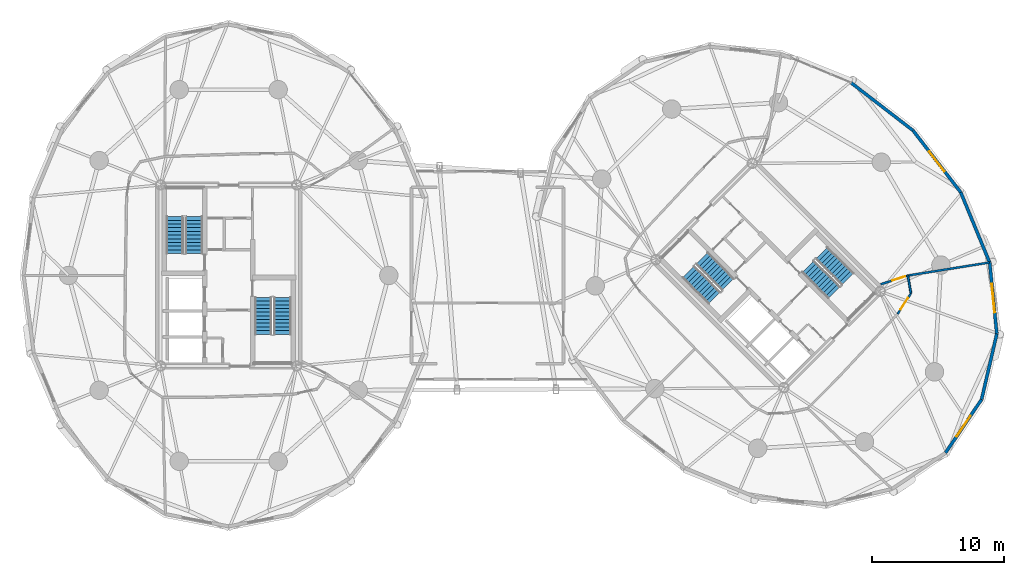
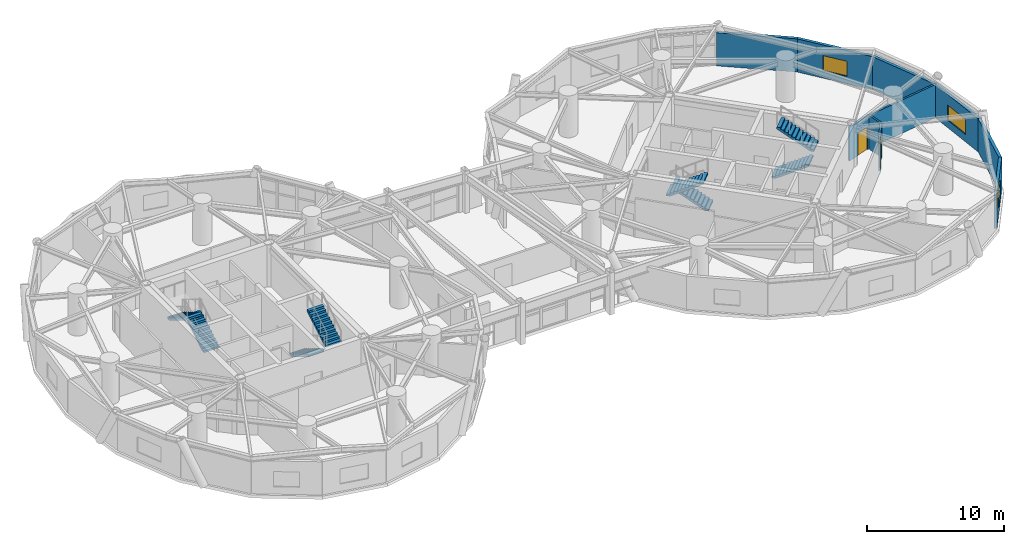
# One storey, part 17 of 19: 10 walls, 8 stair flights, 3 windows, 2 doors, 5 openings, 4 elements without a shape of their own.
"""IFC4 building model written with IfcOpenShell, lengths in metres."""

from ifc_helpers import new_model, si_unit, direction, frame, frame_2d, origin, place, context, subcontext, project, spatial, polyline, rectangle, outline, extrude, source, transform, mapped, material, layer, layer_set, type_object, element, fill, aggregate, save


model = new_model("IFC4")

# Units and contexts
model_context = context("Model", 3, precision=1e-05, world=origin(), true_north=direction((0.0, 1.0)))
body_context = subcontext(model_context, "Body", "Model", "MODEL_VIEW")
ifc_project = project(units=[si_unit("LENGTHUNIT", "METRE"), si_unit("AREAUNIT", "SQUARE_METRE"), si_unit("VOLUMEUNIT", "CUBIC_METRE"), si_unit("PLANEANGLEUNIT", "RADIAN"), si_unit("MASSUNIT", "GRAM", prefix="KILO")], contexts=[model_context])

# Site, building, storey
site_placement = place(None, origin())
site = spatial("IfcSite", under=ifc_project, at=site_placement, CompositionType="ELEMENT")
building_placement = place(site_placement, origin())
building = spatial("IfcBuilding", under=site, at=building_placement, Name="Cununo Teusaquillo Station Towers", CompositionType="ELEMENT")
storey_placement = place(building_placement, frame((0.0, 0.0, 136.60009765625)))
storey = spatial("IfcBuildingStorey", under=building, at=storey_placement, Name="L43", CompositionType="ELEMENT", Elevation=136.60009765625)

# Wall
ifc_material_1 = material(Name="Precast concrete C40/50", Category="concrete")
ifc_layer_1 = layer(ifc_material_1, 0.239990234375)
ifc_layer_set_1 = layer_set([ifc_layer_1], Name="Precast concrete C40/50")
wall_type_1 = type_object("IfcWallType", Name="WL-EXT-240", PredefinedType="SOLIDWALL", material=ifc_layer_set_1)
wall_1_placement = place(storey_placement, frame((63.811279296875, 39.145263671875, 0.0), z_axis=(0.0, 0.0, 1.0), x_axis=(0.791982052206, -0.61054437102, 0.0)))
element("IfcWall", 1, at=wall_1_placement, inside=storey, type_object=wall_type_1, Name="L43 Tower B Exterior Facade Wall C00", PredefinedType="SOLIDWALL", context=body_context, shape_type="SweptSolid", body=[
    extrude(rectangle(XDim=5.942138671875, YDim=0.239990234375, at=frame_2d((2.97119140625, 0.0))), origin(), (0.0, 0.0, 1.0), 2.948974609375),
])

# Wall, opening, window
wall_2_placement = place(storey_placement, frame((73.72900390625, 15.080078125, 0.0), z_axis=(0.0, 0.0, 1.0), x_axis=(-0.559572880421, -0.828781148131, 0.0)))
wall_2 = element("IfcWall", 2, at=wall_2_placement, inside=storey, type_object=wall_type_1, Name="L43 Tower B Exterior Facade Wall C15", PredefinedType="SOLIDWALL", context=body_context, shape_type="SweptSolid", body=[
    extrude(rectangle(XDim=4.904541015625, YDim=0.239990234375, at=frame_2d((2.4521484375, 0.0))), origin(), (0.0, 0.0, 1.0), 2.948974609375),
])
shared_shape_1 = source(origin(), body_context, "Body", "SweptSolid", [
    extrude(rectangle(XDim=1.89990234375, YDim=1.35009765625, at=frame_2d((0.949951171875, 0.675048828125))), frame((0.0, 0.1298828125, 0.0), z_axis=(0.0, -1.0, 0.0), x_axis=(1.0, 0.0, 0.0)), (0.0, 0.0, 1.0), 0.260009765625),
])
opening_1_placement = place(wall_2_placement, frame((1.501953125, 0.0, 0.64990234375)))
opening_1 = element("IfcOpeningElement", 3, at=opening_1_placement, cuts=wall_2, Name="Opening WN-02", PredefinedType="OPENING", context=body_context, shape_type="MappedRepresentation", body=[
    mapped(shared_shape_1, transform((0.0, 0.0, 0.0), x_axis=(1.0, 0.0, 0.0), y_axis=(0.0, 1.0, 0.0), z_axis=(0.0, 0.0, 1.0), scale=1.0)),
])
ifc_material_2 = material(Name="Operable acoustic tinted low-E double glazing", Category="glass")
window_type_1 = type_object("IfcWindowType", Name="WIN-OPER-1900", PartitioningType="DOUBLE_PANEL_VERTICAL", PredefinedType="WINDOW", material=ifc_material_2)
shared_shape_2 = source(origin(), body_context, "Body", "SweptSolid", [
    extrude(rectangle(XDim=1.89990234375, YDim=1.35009765625, at=frame_2d((0.949951171875, 0.675048828125))), frame((0.0, 0.030029296875, 0.0), z_axis=(0.0, -1.0, 0.0), x_axis=(1.0, 0.0, 0.0)), (0.0, 0.0, 1.0), 0.06005859375),
])
window_1_placement = place(opening_1_placement, origin())
window_1 = element("IfcWindow", 4, at=window_1_placement, inside=storey, type_object=window_type_1, Name="L43 Tower B Facade Window C15", OverallHeight=1.35009765625, OverallWidth=1.89990234375, PartitioningType="DOUBLE_PANEL_VERTICAL", PredefinedType="WINDOW", context=body_context, shape_type="MappedRepresentation", body=[
    mapped(shared_shape_2, transform((0.0, 0.0, 0.0), x_axis=(1.0, 0.0, 0.0), y_axis=(0.0, 1.0, 0.0), z_axis=(0.0, 0.0, 1.0), scale=1.0)),
])
fill(opening_1, window_1)

# Wall
wall_3_placement = place(storey_placement, frame((74.885009765625, 20.066650390625, 0.0), z_axis=(0.0, 0.0, 1.0), x_axis=(-0.225834725257, -0.974165631126, 0.0)))
element("IfcWall", 5, at=wall_3_placement, inside=storey, type_object=wall_type_1, Name="L43 Tower B Exterior Facade Wall C16", PredefinedType="SOLIDWALL", context=body_context, shape_type="SweptSolid", body=[
    extrude(rectangle(XDim=5.118896484375, YDim=0.239990234375, at=frame_2d((2.5595703125, 0.0))), origin(), (0.0, 0.0, 1.0), 2.948974609375),
])

# Wall, opening, window
wall_4_placement = place(storey_placement, frame((74.33935546875, 25.4873046875, 0.0), z_axis=(0.0, 0.0, 1.0), x_axis=(0.10015591906, -0.994971754311, 0.0)))
wall_4 = element("IfcWall", 6, at=wall_4_placement, inside=storey, type_object=wall_type_1, Name="L43 Tower B Exterior Facade Wall C17", PredefinedType="SOLIDWALL", context=body_context, shape_type="SweptSolid", body=[
    extrude(rectangle(XDim=5.447998046875, YDim=0.239990234375, at=frame_2d((2.72412109375, 0.0))), origin(), (0.0, 0.0, 1.0), 2.948974609375),
])
shared_shape_3 = source(origin(), body_context, "Body", "SweptSolid", [
    extrude(rectangle(XDim=2.199951171875, YDim=1.35009765625, at=frame_2d((1.10009765625, 0.675048828125))), frame((0.0, 0.1298828125, 0.0), z_axis=(0.0, -1.0, 0.0), x_axis=(1.0, 0.0, 0.0)), (0.0, 0.0, 1.0), 0.260009765625),
])
opening_2_placement = place(wall_4_placement, frame((1.6240234375, 0.0, 0.64990234375)))
opening_2 = element("IfcOpeningElement", 7, at=opening_2_placement, cuts=wall_4, Name="Opening WN-01", PredefinedType="OPENING", context=body_context, shape_type="MappedRepresentation", body=[
    mapped(shared_shape_3, transform((0.0, 0.0, 0.0), x_axis=(1.0, 0.0, 0.0), y_axis=(0.0, 1.0, 0.0), z_axis=(0.0, 0.0, 1.0), scale=1.0)),
])
ifc_material_3 = material(Name="Ceramic-fritted dark low-E double glazing", Category="glass")
window_type_2 = type_object("IfcWindowType", Name="WIN-FRIT-2200", PartitioningType="DOUBLE_PANEL_VERTICAL", PredefinedType="WINDOW", material=ifc_material_3)
shared_shape_4 = source(origin(), body_context, "Body", "SweptSolid", [
    extrude(rectangle(XDim=2.199951171875, YDim=1.35009765625, at=frame_2d((1.10009765625, 0.675048828125))), frame((0.0, 0.030029296875, 0.0), z_axis=(0.0, -1.0, 0.0), x_axis=(1.0, 0.0, 0.0)), (0.0, 0.0, 1.0), 0.06005859375),
])
window_2_placement = place(opening_2_placement, origin())
window_2 = element("IfcWindow", 8, at=window_2_placement, inside=storey, type_object=window_type_2, Name="L43 Tower B Facade Window C17", OverallHeight=1.35009765625, OverallWidth=2.199951171875, PartitioningType="DOUBLE_PANEL_VERTICAL", PredefinedType="WINDOW", context=body_context, shape_type="MappedRepresentation", body=[
    mapped(shared_shape_4, transform((0.0, 0.0, 0.0), x_axis=(1.0, 0.0, 0.0), y_axis=(0.0, 1.0, 0.0), z_axis=(0.0, 0.0, 1.0), scale=1.0)),
])
fill(opening_2, window_2)

# Wall
wall_5_placement = place(storey_placement, frame((72.145263671875, 30.811279296875, 0.0), z_axis=(0.0, 0.0, 1.0), x_axis=(0.381027003055, -0.924563909604, 0.0)))
element("IfcWall", 9, at=wall_5_placement, inside=storey, type_object=wall_type_1, Name="L43 Tower B Exterior Facade Wall C18", PredefinedType="SOLIDWALL", context=body_context, shape_type="SweptSolid", body=[
    extrude(rectangle(XDim=5.75830078125, YDim=0.239990234375, at=frame_2d((2.879150390625, 0.0))), origin(), (0.0, 0.0, 1.0), 2.948974609375),
])

# Wall, opening, window
wall_6_placement = place(storey_placement, frame((68.517333984375, 35.517333984375, 0.0), z_axis=(0.0, 0.0, 1.0), x_axis=(0.61054437102, -0.791982052206, 0.0)))
wall_6 = element("IfcWall", 10, at=wall_6_placement, inside=storey, type_object=wall_type_1, Name="L43 Tower B Exterior Facade Wall C19", PredefinedType="SOLIDWALL", context=body_context, shape_type="SweptSolid", body=[
    extrude(rectangle(XDim=5.942138671875, YDim=0.239990234375, at=frame_2d((2.97119140625, 0.0))), origin(), (0.0, 0.0, 1.0), 2.948974609375),
])
opening_3_placement = place(wall_6_placement, frame((2.02099609375, 0.0, 0.64990234375)))
opening_3 = element("IfcOpeningElement", 11, at=opening_3_placement, cuts=wall_6, Name="Opening WN-02", PredefinedType="OPENING", context=body_context, shape_type="MappedRepresentation", body=[
    mapped(shared_shape_1, transform((0.0, 0.0, 0.0), x_axis=(1.0, 0.0, 0.0), y_axis=(0.0, 1.0, 0.0), z_axis=(0.0, 0.0, 1.0), scale=1.0)),
])
window_3_placement = place(opening_3_placement, origin())
window_3 = element("IfcWindow", 12, at=window_3_placement, inside=storey, type_object=window_type_1, Name="L43 Tower B Facade Window C19", OverallHeight=1.35009765625, OverallWidth=1.89990234375, PartitioningType="DOUBLE_PANEL_VERTICAL", PredefinedType="WINDOW", context=body_context, shape_type="MappedRepresentation", body=[
    mapped(shared_shape_2, transform((0.0, 0.0, 0.0), x_axis=(1.0, 0.0, 0.0), y_axis=(0.0, 1.0, 0.0), z_axis=(0.0, 0.0, 1.0), scale=1.0)),
])
fill(opening_3, window_3)

# Wall, opening, door
ifc_material_4 = material(Name="Fire-rated gypsum plasterboard partition assembly", Category="gypsum")
ifc_layer_2 = layer(ifc_material_4, 0.14990234375)
ifc_layer_set_2 = layer_set([ifc_layer_2], Name="Fire-rated gypsum plasterboard partition assembly")
wall_type_2 = type_object("IfcWallType", Name="WL-PART-150", PredefinedType="PARTITIONING", material=ifc_layer_set_2)
wall_7_placement = place(storey_placement, frame((67.34326171875, 21.5693359375, 0.0), z_axis=(0.0, 0.0, 1.0), x_axis=(0.542722446786, 0.83991210597, 0.0)))
wall_7 = element("IfcWall", 13, at=wall_7_placement, inside=storey, type_object=wall_type_2, Name="L43 Tower B Corridor Ring Wall C16", PredefinedType="PARTITIONING", context=body_context, shape_type="SweptSolid", body=[
    extrude(rectangle(XDim=1.876220703125, YDim=0.14990234375, at=frame_2d((0.93798828125, 0.0))), origin(), (0.0, 0.0, 1.0), 2.994873046875),
])
shared_shape_5 = source(origin(), body_context, "Body", "SweptSolid", [
    extrude(rectangle(XDim=1.050048828125, YDim=2.014892578125, at=frame_2d((0.52490234375, 1.00732421875))), frame((0.0, 0.0849609375, 0.0), z_axis=(0.0, -1.0, 0.0), x_axis=(1.0, 0.0, 0.0)), (0.0, 0.0, 1.0), 0.169921875),
])
opening_4_placement = place(wall_7_placement, frame((0.4130859375, 0.0, 0.0)))
opening_4 = element("IfcOpeningElement", 14, at=opening_4_placement, cuts=wall_7, Name="Opening D-SU1", PredefinedType="OPENING", context=body_context, shape_type="MappedRepresentation", body=[
    mapped(shared_shape_5, transform((0.0, 0.0, 0.0), x_axis=(1.0, 0.0, 0.0), y_axis=(0.0, 1.0, 0.0), z_axis=(0.0, 0.0, 1.0), scale=1.0)),
])
ifc_material_5 = material(Name="Acoustic solid-core hardwood leaf assembly", Category="wood")
door_type = type_object("IfcDoorType", Name="DR-SUITE-1050", OperationType="NOTDEFINED", PredefinedType="DOOR", material=ifc_material_5)
shared_shape_6 = source(origin(), body_context, "Body", "SweptSolid", [
    extrude(rectangle(XDim=1.050048828125, YDim=2.014892578125, at=frame_2d((0.52490234375, 1.00732421875))), frame((0.0, 0.02490234375, 0.0), z_axis=(0.0, -1.0, 0.0), x_axis=(1.0, 0.0, 0.0)), (0.0, 0.0, 1.0), 0.050048828125),
])
door_1_placement = place(opening_4_placement, origin())
door_1 = element("IfcDoor", 15, at=door_1_placement, inside=storey, type_object=door_type, Name="L43 Tower B Executive Sky-Bridge Club Lounge Entrance Door", OperationType="SINGLE_SWING_LEFT", OverallHeight=2.014892578125, OverallWidth=1.050048828125, PredefinedType="DOOR", context=body_context, shape_type="MappedRepresentation", body=[
    mapped(shared_shape_6, transform((0.0, 0.0, 0.0), x_axis=(1.0, 0.0, 0.0), y_axis=(0.0, 1.0, 0.0), z_axis=(0.0, 0.0, 1.0), scale=1.0)),
])
fill(opening_4, door_1)

# Walls
wall_8_placement = place(storey_placement, frame((68.361572265625, 23.145263671875, 0.0), z_axis=(0.0, 0.0, 1.0), x_axis=(-0.175605524171, 0.984460613677, 0.0)))
element("IfcWall", 16, at=wall_8_placement, inside=storey, type_object=wall_type_2, Name="L43 Tower B Corridor Ring Wall C17", PredefinedType="PARTITIONING", context=body_context, shape_type="SweptSolid", body=[
    extrude(rectangle(XDim=1.369384765625, YDim=0.14990234375, at=frame_2d((0.6845703125, 0.0))), origin(), (0.0, 0.0, 1.0), 2.994873046875),
])
ifc_material_6 = material(Name="Fire-rated gypsum plasterboard partition assembly", Category="gypsum")
ifc_layer_3 = layer(ifc_material_6, 0.159912109375)
ifc_layer_set_3 = layer_set([ifc_layer_3], Name="Fire-rated gypsum plasterboard partition assembly")
wall_type_3 = type_object("IfcWallType", Name="WL-PART-160", PredefinedType="PARTITIONING", material=ifc_layer_set_3)
wall_9_placement = place(storey_placement, frame((68.12109375, 24.493408203125, 0.0), z_axis=(0.0, 0.0, 1.0), x_axis=(0.987466345552, 0.15782970697, 0.0)))
element("IfcWall", 17, at=wall_9_placement, inside=storey, type_object=wall_type_3, Name="L43 Tower B Radial Suite Partition R05", PredefinedType="PARTITIONING", context=body_context, shape_type="SweptSolid", body=[
    extrude(rectangle(XDim=6.277099609375, YDim=0.159912109375, at=frame_2d((3.138671875, 0.0))), origin(), (0.0, 0.0, 1.0), 2.948974609375),
])

# Wall, opening, door
wall_10_placement = place(storey_placement, frame((66.055908203125, 23.828125, 0.0), z_axis=(0.0, 0.0, 1.0), x_axis=(0.951830504244, 0.306624674792, 0.0)))
wall_10 = element("IfcWall", 18, at=wall_10_placement, inside=storey, type_object=wall_type_3, Name="L43 Tower B East Salon Corridor Portal Wall SE", PredefinedType="PARTITIONING", context=body_context, shape_type="SweptSolid", body=[
    extrude(rectangle(XDim=2.169677734375, YDim=0.159912109375, at=frame_2d((1.0849609375, 0.0))), origin(), (0.0, 0.0, 1.0), 2.994873046875),
])
shared_shape_7 = source(origin(), body_context, "Body", "SweptSolid", [
    extrude(rectangle(XDim=1.050048828125, YDim=2.014892578125, at=frame_2d((0.52490234375, 1.00732421875))), frame((0.0, 0.08984375, 0.0), z_axis=(0.0, -1.0, 0.0), x_axis=(1.0, 0.0, 0.0)), (0.0, 0.0, 1.0), 0.179931640625),
])
opening_5_placement = place(wall_10_placement, frame((0.919677734375, 0.0, 0.0)))
opening_5 = element("IfcOpeningElement", 19, at=opening_5_placement, cuts=wall_10, Name="Opening D-SU1", PredefinedType="OPENING", context=body_context, shape_type="MappedRepresentation", body=[
    mapped(shared_shape_7, transform((0.0, 0.0, 0.0), x_axis=(1.0, 0.0, 0.0), y_axis=(0.0, 1.0, 0.0), z_axis=(0.0, 0.0, 1.0), scale=1.0)),
])
door_2_placement = place(opening_5_placement, origin())
door_2 = element("IfcDoor", 20, at=door_2_placement, inside=storey, type_object=door_type, Name="L43 Tower B East Panorama Sky Salon Door SE", OperationType="SINGLE_SWING_LEFT", OverallHeight=2.014892578125, OverallWidth=1.050048828125, PredefinedType="DOOR", context=body_context, shape_type="MappedRepresentation", body=[
    mapped(shared_shape_6, transform((0.0, 0.0, 0.0), x_axis=(1.0, 0.0, 0.0), y_axis=(0.0, 1.0, 0.0), z_axis=(0.0, 0.0, 1.0), scale=1.0)),
])
fill(opening_5, door_2)

# Stair, stair flights
ifc_material_7 = material(Name="Concrete C50/60", Category="concrete")
stair_type = type_object("IfcStairType", Name="ST-TWR-1300", PredefinedType="HALF_TURN_STAIR", material=ifc_material_7)
stair_1_placement = place(storey_placement, origin())
stair_1 = element("IfcStair", 21, at=stair_1_placement, inside=storey, type_object=stair_type, Name="L43 Tower A Protected Core Exit Stair 1", PredefinedType="HALF_TURN_STAIR")
ifc_material_8 = material(Name="Concrete C50/60", Category="concrete")
stair_flight_type = type_object("IfcStairFlightType", Name="SFL-TWR-1300", PredefinedType="STRAIGHT", material=ifc_material_8)
stair_flight_1_placement = place(storey_placement, frame((13.8701171875, 26.169921875, 0.0), z_axis=(0.0, 0.0, 1.0), x_axis=(0.0, 1.0, 0.0)))
stair_flight_1 = element("IfcStairFlight", 22, at=stair_flight_1_placement, type_object=stair_flight_type, Name="ST-T1-1 flight 1", NumberOfRisers=11, NumberOfTreads=10, PredefinedType="STRAIGHT", RiserHeight=0.169090909, TreadLength=0.28, context=body_context, shape_type="SweptSolid", body=[
    extrude(outline(polyline([(0.0, 0.0), (0.0, 0.169189453125), (0.280029296875, 0.169189453125), (0.280029296875, 0.338134765625), (0.56005859375, 0.338134765625), (0.56005859375, 0.50732421875), (0.840087890625, 0.50732421875), (0.840087890625, 0.67626953125), (1.1201171875, 0.67626953125), (1.1201171875, 0.845458984375), (1.39990234375, 0.845458984375), (1.39990234375, 1.0146484375), (1.679931640625, 1.0146484375), (1.679931640625, 1.18359375), (1.9599609375, 1.18359375), (1.9599609375, 1.352783203125), (2.239990234375, 1.352783203125), (2.239990234375, 1.521728515625), (2.52001953125, 1.521728515625), (2.52001953125, 1.69091796875), (2.800048828125, 1.69091796875), (2.800048828125, 1.860107421875), (2.800048828125, 1.515869140625), (0.2900390625, 0.0), (0.0, 0.0)])), frame((0.0, 0.64990234375, 0.0), z_axis=(0.0, -1.0, 0.0), x_axis=(1.0, 0.0, 0.0)), (0.0, 0.0, 1.0), 1.300048828125),
])
stair_flight_2_placement = place(storey_placement, frame((12.409912109375, 28.969970703125, 1.85986328125), z_axis=(0.0, 0.0, 1.0), x_axis=(0.0, -1.0, 0.0)))
stair_flight_2 = element("IfcStairFlight", 23, at=stair_flight_2_placement, type_object=stair_flight_type, Name="ST-T1-1 flight 2", NumberOfRisers=11, NumberOfTreads=10, PredefinedType="STRAIGHT", RiserHeight=0.169090909, TreadLength=0.28, context=body_context, shape_type="SweptSolid", body=[
    extrude(outline(polyline([(0.0, 0.0), (0.0, 0.169189453125), (0.280029296875, 0.169189453125), (0.280029296875, 0.338134765625), (0.56005859375, 0.338134765625), (0.56005859375, 0.50732421875), (0.840087890625, 0.50732421875), (0.840087890625, 0.67626953125), (1.1201171875, 0.67626953125), (1.1201171875, 0.845458984375), (1.39990234375, 0.845458984375), (1.39990234375, 1.0146484375), (1.679931640625, 1.0146484375), (1.679931640625, 1.18359375), (1.9599609375, 1.18359375), (1.9599609375, 1.352783203125), (2.239990234375, 1.352783203125), (2.239990234375, 1.521728515625), (2.52001953125, 1.521728515625), (2.52001953125, 1.69091796875), (2.800048828125, 1.69091796875), (2.800048828125, 1.860107421875), (2.800048828125, 1.515869140625), (0.2900390625, 0.0), (0.0, 0.0)])), frame((0.0, 0.64990234375, 0.0), z_axis=(0.0, -1.0, 0.0), x_axis=(1.0, 0.0, 0.0)), (0.0, 0.0, 1.0), 1.300048828125),
])
aggregate(stair_1, [stair_flight_1, stair_flight_2])

stair_2_placement = place(storey_placement, origin())
stair_2 = element("IfcStair", 24, at=stair_2_placement, inside=storey, type_object=stair_type, Name="L43 Tower A Protected Core Exit Stair 2", PredefinedType="HALF_TURN_STAIR")
stair_flight_3_placement = place(storey_placement, frame((19.1298828125, 22.830078125, 0.0), z_axis=(0.0, 0.0, 1.0), x_axis=(0.0, -1.0, 0.0)))
stair_flight_3 = element("IfcStairFlight", 25, at=stair_flight_3_placement, type_object=stair_flight_type, Name="ST-T1-2 flight 1", NumberOfRisers=11, NumberOfTreads=10, PredefinedType="STRAIGHT", RiserHeight=0.169090909, TreadLength=0.28, context=body_context, shape_type="SweptSolid", body=[
    extrude(outline(polyline([(0.0, 0.0), (0.0, 0.169189453125), (0.280029296875, 0.169189453125), (0.280029296875, 0.338134765625), (0.56005859375, 0.338134765625), (0.56005859375, 0.50732421875), (0.840087890625, 0.50732421875), (0.840087890625, 0.67626953125), (1.1201171875, 0.67626953125), (1.1201171875, 0.845458984375), (1.39990234375, 0.845458984375), (1.39990234375, 1.0146484375), (1.679931640625, 1.0146484375), (1.679931640625, 1.18359375), (1.9599609375, 1.18359375), (1.9599609375, 1.352783203125), (2.239990234375, 1.352783203125), (2.239990234375, 1.521728515625), (2.52001953125, 1.521728515625), (2.52001953125, 1.69091796875), (2.800048828125, 1.69091796875), (2.800048828125, 1.860107421875), (2.800048828125, 1.515869140625), (0.2900390625, 0.0), (0.0, 0.0)])), frame((0.0, 0.64990234375, 0.0), z_axis=(0.0, -1.0, 0.0), x_axis=(1.0, 0.0, 0.0)), (0.0, 0.0, 1.0), 1.300048828125),
])
stair_flight_4_placement = place(storey_placement, frame((20.590087890625, 20.030029296875, 1.85986328125), z_axis=(0.0, 0.0, 1.0), x_axis=(0.0, 1.0, 0.0)))
stair_flight_4 = element("IfcStairFlight", 26, at=stair_flight_4_placement, type_object=stair_flight_type, Name="ST-T1-2 flight 2", NumberOfRisers=11, NumberOfTreads=10, PredefinedType="STRAIGHT", RiserHeight=0.169090909, TreadLength=0.28, context=body_context, shape_type="SweptSolid", body=[
    extrude(outline(polyline([(0.0, 0.0), (0.0, 0.169189453125), (0.280029296875, 0.169189453125), (0.280029296875, 0.338134765625), (0.56005859375, 0.338134765625), (0.56005859375, 0.50732421875), (0.840087890625, 0.50732421875), (0.840087890625, 0.67626953125), (1.1201171875, 0.67626953125), (1.1201171875, 0.845458984375), (1.39990234375, 0.845458984375), (1.39990234375, 1.0146484375), (1.679931640625, 1.0146484375), (1.679931640625, 1.18359375), (1.9599609375, 1.18359375), (1.9599609375, 1.352783203125), (2.239990234375, 1.352783203125), (2.239990234375, 1.521728515625), (2.52001953125, 1.521728515625), (2.52001953125, 1.69091796875), (2.800048828125, 1.69091796875), (2.800048828125, 1.860107421875), (2.800048828125, 1.515869140625), (0.2900390625, 0.0), (0.0, 0.0)])), frame((0.0, 0.64990234375, 0.0), z_axis=(0.0, -1.0, 0.0), x_axis=(1.0, 0.0, 0.0)), (0.0, 0.0, 1.0), 1.300048828125),
])
aggregate(stair_2, [stair_flight_3, stair_flight_4])

stair_3_placement = place(storey_placement, origin())
stair_3 = element("IfcStair", 27, at=stair_3_placement, inside=storey, type_object=stair_type, Name="L43 Tower B Protected Core Exit Stair 1", PredefinedType="HALF_TURN_STAIR")
stair_flight_5_placement = place(storey_placement, frame((54.45947265625, 23.8212890625, 0.0), z_axis=(0.0, 0.0, 1.0), x_axis=(-0.707106781187, 0.707106781187, 0.0)))
stair_flight_5 = element("IfcStairFlight", 28, at=stair_flight_5_placement, type_object=stair_flight_type, Name="ST-T2-1 flight 1", NumberOfRisers=11, NumberOfTreads=10, PredefinedType="STRAIGHT", RiserHeight=0.169090909, TreadLength=0.28, context=body_context, shape_type="SweptSolid", body=[
    extrude(outline(polyline([(0.0, 0.0), (0.0, 0.169189453125), (0.280029296875, 0.169189453125), (0.280029296875, 0.338134765625), (0.56005859375, 0.338134765625), (0.56005859375, 0.50732421875), (0.840087890625, 0.50732421875), (0.840087890625, 0.67626953125), (1.1201171875, 0.67626953125), (1.1201171875, 0.845458984375), (1.39990234375, 0.845458984375), (1.39990234375, 1.0146484375), (1.679931640625, 1.0146484375), (1.679931640625, 1.18359375), (1.9599609375, 1.18359375), (1.9599609375, 1.352783203125), (2.239990234375, 1.352783203125), (2.239990234375, 1.521728515625), (2.52001953125, 1.521728515625), (2.52001953125, 1.69091796875), (2.800048828125, 1.69091796875), (2.800048828125, 1.860107421875), (2.800048828125, 1.515869140625), (0.2900390625, 0.0), (0.0, 0.0)])), frame((0.0, 0.64990234375, 0.0), z_axis=(0.0, -1.0, 0.0), x_axis=(1.0, 0.0, 0.0)), (0.0, 0.0, 1.0), 1.300048828125),
])
stair_flight_6_placement = place(storey_placement, frame((51.447265625, 24.768798828125, 1.85986328125), z_axis=(0.0, 0.0, 1.0), x_axis=(0.707106781187, -0.707106781187, 0.0)))
stair_flight_6 = element("IfcStairFlight", 29, at=stair_flight_6_placement, type_object=stair_flight_type, Name="ST-T2-1 flight 2", NumberOfRisers=11, NumberOfTreads=10, PredefinedType="STRAIGHT", RiserHeight=0.169090909, TreadLength=0.28, context=body_context, shape_type="SweptSolid", body=[
    extrude(outline(polyline([(0.0, 0.0), (0.0, 0.169189453125), (0.280029296875, 0.169189453125), (0.280029296875, 0.338134765625), (0.56005859375, 0.338134765625), (0.56005859375, 0.50732421875), (0.840087890625, 0.50732421875), (0.840087890625, 0.67626953125), (1.1201171875, 0.67626953125), (1.1201171875, 0.845458984375), (1.39990234375, 0.845458984375), (1.39990234375, 1.0146484375), (1.679931640625, 1.0146484375), (1.679931640625, 1.18359375), (1.9599609375, 1.18359375), (1.9599609375, 1.352783203125), (2.239990234375, 1.352783203125), (2.239990234375, 1.521728515625), (2.52001953125, 1.521728515625), (2.52001953125, 1.69091796875), (2.800048828125, 1.69091796875), (2.800048828125, 1.860107421875), (2.800048828125, 1.515869140625), (0.2900390625, 0.0), (0.0, 0.0)])), frame((0.0, 0.64990234375, 0.0), z_axis=(0.0, -1.0, 0.0), x_axis=(1.0, 0.0, 0.0)), (0.0, 0.0, 1.0), 1.300048828125),
])
aggregate(stair_3, [stair_flight_5, stair_flight_6])

stair_4_placement = place(storey_placement, origin())
stair_4 = element("IfcStair", 30, at=stair_4_placement, inside=storey, type_object=stair_type, Name="L43 Tower B Protected Core Exit Stair 2", PredefinedType="HALF_TURN_STAIR")
stair_flight_7_placement = place(storey_placement, frame((60.54052734375, 25.1787109375, 0.0), z_axis=(0.0, 0.0, 1.0), x_axis=(0.707106781187, -0.707106781187, 0.0)))
stair_flight_7 = element("IfcStairFlight", 31, at=stair_flight_7_placement, type_object=stair_flight_type, Name="ST-T2-2 flight 1", NumberOfRisers=11, NumberOfTreads=10, PredefinedType="STRAIGHT", RiserHeight=0.169090909, TreadLength=0.28, context=body_context, shape_type="SweptSolid", body=[
    extrude(outline(polyline([(0.0, 0.0), (0.0, 0.169189453125), (0.280029296875, 0.169189453125), (0.280029296875, 0.338134765625), (0.56005859375, 0.338134765625), (0.56005859375, 0.50732421875), (0.840087890625, 0.50732421875), (0.840087890625, 0.67626953125), (1.1201171875, 0.67626953125), (1.1201171875, 0.845458984375), (1.39990234375, 0.845458984375), (1.39990234375, 1.0146484375), (1.679931640625, 1.0146484375), (1.679931640625, 1.18359375), (1.9599609375, 1.18359375), (1.9599609375, 1.352783203125), (2.239990234375, 1.352783203125), (2.239990234375, 1.521728515625), (2.52001953125, 1.521728515625), (2.52001953125, 1.69091796875), (2.800048828125, 1.69091796875), (2.800048828125, 1.860107421875), (2.800048828125, 1.515869140625), (0.2900390625, 0.0), (0.0, 0.0)])), frame((0.0, 0.64990234375, 0.0), z_axis=(0.0, -1.0, 0.0), x_axis=(1.0, 0.0, 0.0)), (0.0, 0.0, 1.0), 1.300048828125),
])
stair_flight_8_placement = place(storey_placement, frame((63.552734375, 24.231201171875, 1.85986328125), z_axis=(0.0, 0.0, 1.0), x_axis=(-0.707106781187, 0.707106781187, 0.0)))
stair_flight_8 = element("IfcStairFlight", 32, at=stair_flight_8_placement, type_object=stair_flight_type, Name="ST-T2-2 flight 2", NumberOfRisers=11, NumberOfTreads=10, PredefinedType="STRAIGHT", RiserHeight=0.169090909, TreadLength=0.28, context=body_context, shape_type="SweptSolid", body=[
    extrude(outline(polyline([(0.0, 0.0), (0.0, 0.169189453125), (0.280029296875, 0.169189453125), (0.280029296875, 0.338134765625), (0.56005859375, 0.338134765625), (0.56005859375, 0.50732421875), (0.840087890625, 0.50732421875), (0.840087890625, 0.67626953125), (1.1201171875, 0.67626953125), (1.1201171875, 0.845458984375), (1.39990234375, 0.845458984375), (1.39990234375, 1.0146484375), (1.679931640625, 1.0146484375), (1.679931640625, 1.18359375), (1.9599609375, 1.18359375), (1.9599609375, 1.352783203125), (2.239990234375, 1.352783203125), (2.239990234375, 1.521728515625), (2.52001953125, 1.521728515625), (2.52001953125, 1.69091796875), (2.800048828125, 1.69091796875), (2.800048828125, 1.860107421875), (2.800048828125, 1.515869140625), (0.2900390625, 0.0), (0.0, 0.0)])), frame((0.0, 0.64990234375, 0.0), z_axis=(0.0, -1.0, 0.0), x_axis=(1.0, 0.0, 0.0)), (0.0, 0.0, 1.0), 1.300048828125),
])
aggregate(stair_4, [stair_flight_7, stair_flight_8])

save(model, "model.ifc")
